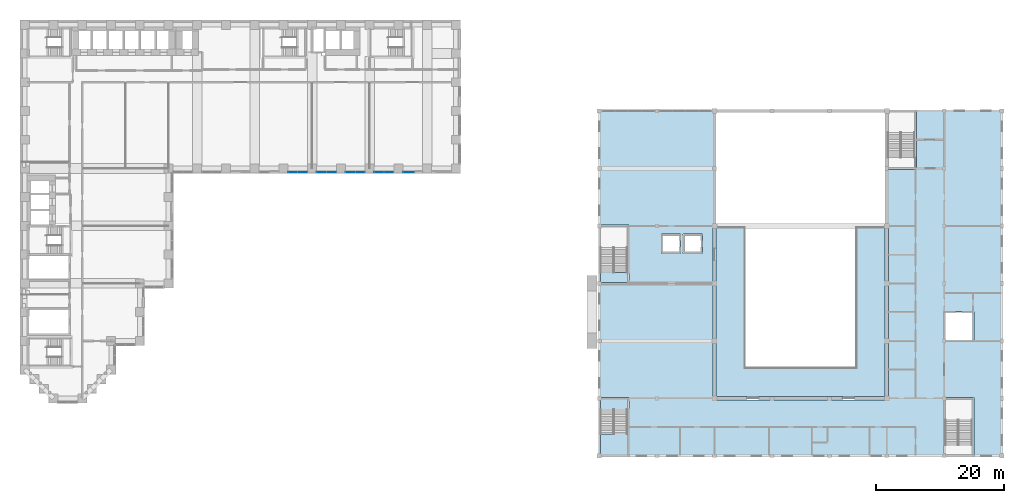
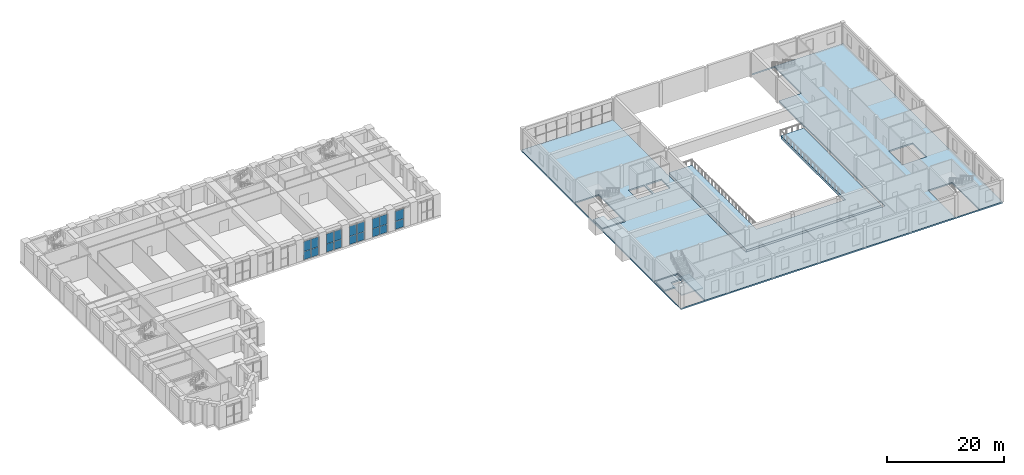
# One storey, part 15 of 34: 18 plates, 5 slabs, 6 elements without a shape of their own.
"""IFC4 building model written with IfcOpenShell, lengths in metres."""

from ifc_helpers import new_model, si_unit, direction, frame, origin, origin_2d, place, context, subcontext, project, spatial, polyline, rectangle, outline, extrude, material, layer, layer_set, type_object, element, aggregate, save


model = new_model("IFC4")

# Units and contexts
model_context = context("Model", 3, precision=1e-05, world=origin(), true_north=direction((0.0, 1.0)))
body_context = subcontext(model_context, "Body", "Model", "MODEL_VIEW")
ifc_project = project(units=[si_unit("LENGTHUNIT", "METRE"), si_unit("AREAUNIT", "SQUARE_METRE"), si_unit("VOLUMEUNIT", "CUBIC_METRE"), si_unit("PLANEANGLEUNIT", "RADIAN"), si_unit("MASSUNIT", "GRAM", prefix="KILO")], contexts=[model_context])

# Site, building, storey
site_placement = place(None, origin())
site = spatial("IfcSite", under=ifc_project, at=site_placement, CompositionType="ELEMENT")
building_placement = place(site_placement, origin())
building = spatial("IfcBuilding", under=site, at=building_placement, Name="Firuza Court", CompositionType="ELEMENT")
storey_placement = place(building_placement, frame((0.0, 0.0, 19.0)))
storey = spatial("IfcBuildingStorey", under=building, at=storey_placement, Name="L03", CompositionType="ELEMENT", Elevation=19.0)

# Curtain wall, plates
ifc_material_1 = material(Name="Aluminium curtain wall, triple clear glazing", Category="aluminium")
curtain_wall_type = type_object("IfcCurtainWallType", Name="Podium unitised curtain wall CW1", PredefinedType="NOTDEFINED", material=ifc_material_1)
curtain_wall_1_placement = place(storey_placement, origin())
curtain_wall_1 = element("IfcCurtainWall", 1, at=curtain_wall_1_placement, inside=storey, type_object=curtain_wall_type, Name="Podium unitised curtain wall CW1 L03", PredefinedType="NOTDEFINED")
ifc_material_2 = material(Name="Triple clear glazing", Category="glass")
ifc_layer_1 = layer(ifc_material_2, 0.031982421875)
ifc_layer_set_1 = layer_set([ifc_layer_1], Name="Triple clear glazing")
plate_type = type_object("IfcPlateType", Name="Glazed panel 32 CW1", PredefinedType="CURTAIN_PANEL", material=ifc_layer_set_1)
plate_1_placement = place(storey_placement, frame((41.989990234375, 35.39990234375, 0.06005859375), z_axis=(0.0, 0.0, 1.0), x_axis=(1.0, 0.0, 0.0)))
plate_1 = element("IfcPlate", 2, at=plate_1_placement, type_object=plate_type, Name="CW1 panel 1.1", PredefinedType="CURTAIN_PANEL", context=body_context, shape_type="SweptSolid", body=[
    extrude(rectangle(XDim=1.4599609375, YDim=0.031982421875, at=origin_2d()), origin(), (0.0, 0.0, 1.0), 1.6650390625),
])
plate_2_placement = place(storey_placement, frame((41.989990234375, 35.39990234375, 1.78515625), z_axis=(0.0, 0.0, 1.0), x_axis=(1.0, 0.0, 0.0)))
plate_2 = element("IfcPlate", 3, at=plate_2_placement, type_object=plate_type, Name="CW1 panel 1.2", PredefinedType="CURTAIN_PANEL", context=body_context, shape_type="SweptSolid", body=[
    extrude(rectangle(XDim=1.4599609375, YDim=0.031982421875, at=origin_2d()), origin(), (0.0, 0.0, 1.0), 2.054931640625),
])
plate_3_placement = place(storey_placement, frame((43.510009765625, 35.39990234375, 0.06005859375), z_axis=(0.0, 0.0, 1.0), x_axis=(1.0, 0.0, 0.0)))
plate_3 = element("IfcPlate", 4, at=plate_3_placement, type_object=plate_type, Name="CW1 panel 2.1", PredefinedType="CURTAIN_PANEL", context=body_context, shape_type="SweptSolid", body=[
    extrude(rectangle(XDim=1.4599609375, YDim=0.031982421875, at=origin_2d()), origin(), (0.0, 0.0, 1.0), 1.6650390625),
])
plate_4_placement = place(storey_placement, frame((43.510009765625, 35.39990234375, 1.78515625), z_axis=(0.0, 0.0, 1.0), x_axis=(1.0, 0.0, 0.0)))
plate_4 = element("IfcPlate", 5, at=plate_4_placement, type_object=plate_type, Name="CW1 panel 2.2", PredefinedType="CURTAIN_PANEL", context=body_context, shape_type="SweptSolid", body=[
    extrude(rectangle(XDim=1.4599609375, YDim=0.031982421875, at=origin_2d()), origin(), (0.0, 0.0, 1.0), 2.054931640625),
])
aggregate(curtain_wall_1, [plate_1, plate_2, plate_3, plate_4])

curtain_wall_2_placement = place(storey_placement, origin())
curtain_wall_2 = element("IfcCurtainWall", 6, at=curtain_wall_2_placement, inside=storey, type_object=curtain_wall_type, Name="Podium unitised curtain wall CW1 L03", PredefinedType="NOTDEFINED")
plate_5_placement = place(storey_placement, frame((46.489990234375, 35.39990234375, 0.06005859375), z_axis=(0.0, 0.0, 1.0), x_axis=(1.0, 0.0, 0.0)))
plate_5 = element("IfcPlate", 7, at=plate_5_placement, type_object=plate_type, Name="CW1 panel 1.1", PredefinedType="CURTAIN_PANEL", context=body_context, shape_type="SweptSolid", body=[
    extrude(rectangle(XDim=1.4599609375, YDim=0.031982421875, at=origin_2d()), origin(), (0.0, 0.0, 1.0), 1.6650390625),
])
plate_6_placement = place(storey_placement, frame((46.489990234375, 35.39990234375, 1.78515625), z_axis=(0.0, 0.0, 1.0), x_axis=(1.0, 0.0, 0.0)))
plate_6 = element("IfcPlate", 8, at=plate_6_placement, type_object=plate_type, Name="CW1 panel 1.2", PredefinedType="CURTAIN_PANEL", context=body_context, shape_type="SweptSolid", body=[
    extrude(rectangle(XDim=1.4599609375, YDim=0.031982421875, at=origin_2d()), origin(), (0.0, 0.0, 1.0), 2.054931640625),
])
plate_7_placement = place(storey_placement, frame((48.010009765625, 35.39990234375, 0.06005859375), z_axis=(0.0, 0.0, 1.0), x_axis=(1.0, 0.0, 0.0)))
plate_7 = element("IfcPlate", 9, at=plate_7_placement, type_object=plate_type, Name="CW1 panel 2.1", PredefinedType="CURTAIN_PANEL", context=body_context, shape_type="SweptSolid", body=[
    extrude(rectangle(XDim=1.4599609375, YDim=0.031982421875, at=origin_2d()), origin(), (0.0, 0.0, 1.0), 1.6650390625),
])
plate_8_placement = place(storey_placement, frame((48.010009765625, 35.39990234375, 1.78515625), z_axis=(0.0, 0.0, 1.0), x_axis=(1.0, 0.0, 0.0)))
plate_8 = element("IfcPlate", 10, at=plate_8_placement, type_object=plate_type, Name="CW1 panel 2.2", PredefinedType="CURTAIN_PANEL", context=body_context, shape_type="SweptSolid", body=[
    extrude(rectangle(XDim=1.4599609375, YDim=0.031982421875, at=origin_2d()), origin(), (0.0, 0.0, 1.0), 2.054931640625),
])
aggregate(curtain_wall_2, [plate_5, plate_6, plate_7, plate_8])

curtain_wall_3_placement = place(storey_placement, origin())
curtain_wall_3 = element("IfcCurtainWall", 11, at=curtain_wall_3_placement, inside=storey, type_object=curtain_wall_type, Name="Podium unitised curtain wall CW1 L03", PredefinedType="NOTDEFINED")
plate_9_placement = place(storey_placement, frame((50.989990234375, 35.39990234375, 0.06005859375), z_axis=(0.0, 0.0, 1.0), x_axis=(1.0, 0.0, 0.0)))
plate_9 = element("IfcPlate", 12, at=plate_9_placement, type_object=plate_type, Name="CW1 panel 1.1", PredefinedType="CURTAIN_PANEL", context=body_context, shape_type="SweptSolid", body=[
    extrude(rectangle(XDim=1.4599609375, YDim=0.031982421875, at=origin_2d()), origin(), (0.0, 0.0, 1.0), 1.6650390625),
])
plate_10_placement = place(storey_placement, frame((50.989990234375, 35.39990234375, 1.78515625), z_axis=(0.0, 0.0, 1.0), x_axis=(1.0, 0.0, 0.0)))
plate_10 = element("IfcPlate", 13, at=plate_10_placement, type_object=plate_type, Name="CW1 panel 1.2", PredefinedType="CURTAIN_PANEL", context=body_context, shape_type="SweptSolid", body=[
    extrude(rectangle(XDim=1.4599609375, YDim=0.031982421875, at=origin_2d()), origin(), (0.0, 0.0, 1.0), 2.054931640625),
])
plate_11_placement = place(storey_placement, frame((52.510009765625, 35.39990234375, 0.06005859375), z_axis=(0.0, 0.0, 1.0), x_axis=(1.0, 0.0, 0.0)))
plate_11 = element("IfcPlate", 14, at=plate_11_placement, type_object=plate_type, Name="CW1 panel 2.1", PredefinedType="CURTAIN_PANEL", context=body_context, shape_type="SweptSolid", body=[
    extrude(rectangle(XDim=1.4599609375, YDim=0.031982421875, at=origin_2d()), origin(), (0.0, 0.0, 1.0), 1.6650390625),
])
plate_12_placement = place(storey_placement, frame((52.510009765625, 35.39990234375, 1.78515625), z_axis=(0.0, 0.0, 1.0), x_axis=(1.0, 0.0, 0.0)))
plate_12 = element("IfcPlate", 15, at=plate_12_placement, type_object=plate_type, Name="CW1 panel 2.2", PredefinedType="CURTAIN_PANEL", context=body_context, shape_type="SweptSolid", body=[
    extrude(rectangle(XDim=1.4599609375, YDim=0.031982421875, at=origin_2d()), origin(), (0.0, 0.0, 1.0), 2.054931640625),
])
aggregate(curtain_wall_3, [plate_9, plate_10, plate_11, plate_12])

curtain_wall_4_placement = place(storey_placement, origin())
curtain_wall_4 = element("IfcCurtainWall", 16, at=curtain_wall_4_placement, inside=storey, type_object=curtain_wall_type, Name="Podium unitised curtain wall CW1 L03", PredefinedType="NOTDEFINED")
plate_13_placement = place(storey_placement, frame((55.489990234375, 35.39990234375, 0.06005859375), z_axis=(0.0, 0.0, 1.0), x_axis=(1.0, 0.0, 0.0)))
plate_13 = element("IfcPlate", 17, at=plate_13_placement, type_object=plate_type, Name="CW1 panel 1.1", PredefinedType="CURTAIN_PANEL", context=body_context, shape_type="SweptSolid", body=[
    extrude(rectangle(XDim=1.4599609375, YDim=0.031982421875, at=origin_2d()), origin(), (0.0, 0.0, 1.0), 1.6650390625),
])
plate_14_placement = place(storey_placement, frame((55.489990234375, 35.39990234375, 1.78515625), z_axis=(0.0, 0.0, 1.0), x_axis=(1.0, 0.0, 0.0)))
plate_14 = element("IfcPlate", 18, at=plate_14_placement, type_object=plate_type, Name="CW1 panel 1.2", PredefinedType="CURTAIN_PANEL", context=body_context, shape_type="SweptSolid", body=[
    extrude(rectangle(XDim=1.4599609375, YDim=0.031982421875, at=origin_2d()), origin(), (0.0, 0.0, 1.0), 2.054931640625),
])
plate_15_placement = place(storey_placement, frame((57.010009765625, 35.39990234375, 0.06005859375), z_axis=(0.0, 0.0, 1.0), x_axis=(1.0, 0.0, 0.0)))
plate_15 = element("IfcPlate", 19, at=plate_15_placement, type_object=plate_type, Name="CW1 panel 2.1", PredefinedType="CURTAIN_PANEL", context=body_context, shape_type="SweptSolid", body=[
    extrude(rectangle(XDim=1.4599609375, YDim=0.031982421875, at=origin_2d()), origin(), (0.0, 0.0, 1.0), 1.6650390625),
])
plate_16_placement = place(storey_placement, frame((57.010009765625, 35.39990234375, 1.78515625), z_axis=(0.0, 0.0, 1.0), x_axis=(1.0, 0.0, 0.0)))
plate_16 = element("IfcPlate", 20, at=plate_16_placement, type_object=plate_type, Name="CW1 panel 2.2", PredefinedType="CURTAIN_PANEL", context=body_context, shape_type="SweptSolid", body=[
    extrude(rectangle(XDim=1.4599609375, YDim=0.031982421875, at=origin_2d()), origin(), (0.0, 0.0, 1.0), 2.054931640625),
])
aggregate(curtain_wall_4, [plate_13, plate_14, plate_15, plate_16])

curtain_wall_5_placement = place(storey_placement, origin())
curtain_wall_5 = element("IfcCurtainWall", 21, at=curtain_wall_5_placement, inside=storey, type_object=curtain_wall_type, Name="Podium unitised curtain wall CW1 L03", PredefinedType="NOTDEFINED")
plate_17_placement = place(storey_placement, frame((60.137451171875, 35.39990234375, 0.06005859375), z_axis=(0.0, 0.0, 1.0), x_axis=(1.0, 0.0, 0.0)))
plate_17 = element("IfcPlate", 22, at=plate_17_placement, type_object=plate_type, Name="CW1 panel 1.1", PredefinedType="CURTAIN_PANEL", context=body_context, shape_type="SweptSolid", body=[
    extrude(rectangle(XDim=1.755126953125, YDim=0.031982421875, at=origin_2d()), origin(), (0.0, 0.0, 1.0), 1.6650390625),
])
plate_18_placement = place(storey_placement, frame((60.137451171875, 35.39990234375, 1.78515625), z_axis=(0.0, 0.0, 1.0), x_axis=(1.0, 0.0, 0.0)))
plate_18 = element("IfcPlate", 23, at=plate_18_placement, type_object=plate_type, Name="CW1 panel 1.2", PredefinedType="CURTAIN_PANEL", context=body_context, shape_type="SweptSolid", body=[
    extrude(rectangle(XDim=1.755126953125, YDim=0.031982421875, at=origin_2d()), origin(), (0.0, 0.0, 1.0), 2.054931640625),
])
aggregate(curtain_wall_5, [plate_17, plate_18])

# Slabs
ifc_material_3 = material(Name="Concrete C40/50", Category="concrete")
ifc_layer_2 = layer(ifc_material_3, 0.60009765625)
ifc_layer_set_2 = layer_set([ifc_layer_2], Name="Concrete C40/50")
slab_type_1 = type_object("IfcSlabType", Name="HALL BALCONY SLAB 600", PredefinedType="FLOOR", material=ifc_layer_set_2)
slab_1_placement = place(storey_placement, frame((0.0, 0.0, -0.60009765625)))
element("IfcSlab", 24, at=slab_1_placement, inside=storey, type_object=slab_type_1, Name="Balcony slab L03", PredefinedType="FLOOR", context=body_context, shape_type="SweptSolid", body=[
    extrude(outline(polyline([(134.75, 26.75), (134.75, 0.25), (108.25, 0.25), (108.25, 26.75), (112.75, 26.75), (112.75, 4.75), (130.25, 4.75), (130.25, 26.75), (134.75, 26.75)])), origin(), (0.0, 0.0, 1.0), 0.60009765625),
])
ifc_layer_3 = layer(ifc_material_3, 0.300048828125)
ifc_layer_set_3 = layer_set([ifc_layer_3], Name="Concrete C40/50")
slab_type_2 = type_object("IfcSlabType", Name="HALL FLAT SLAB 300", PredefinedType="FLOOR", material=ifc_layer_set_3)
slab_2_placement = place(storey_placement, frame((0.0, 0.0, -0.300048828125)))
element("IfcSlab", 25, at=slab_2_placement, inside=storey, type_object=slab_type_2, Name="Floor slab L03.2", PredefinedType="FLOOR", context=body_context, shape_type="SweptSolid", body=[
    extrude(outline(polyline([(90.125, -3.199951171875), (90.125, -0.125), (94.375, -0.125), (94.375, -1.7099609375), (92.199951171875, -1.7099609375), (92.199951171875, -3.199951171875), (90.125, -3.199951171875)])), origin(), (0.0, 0.0, 1.0), 0.300048828125),
])
slab_3_placement = place(storey_placement, frame((0.0, 0.0, -0.300048828125)))
element("IfcSlab", 26, at=slab_3_placement, inside=storey, type_object=slab_type_2, Name="Floor slab L03.3", PredefinedType="FLOOR", context=body_context, shape_type="SweptSolid", body=[
    extrude(outline(polyline([(107.824951171875, 45.175048828125), (107.824951171875, 27.25), (107.75, 27.25), (107.75, -0.25), (135.25, -0.25), (135.25, 27.25), (135.175048828125, 27.25), (135.175048828125, 35.875), (139.625, 35.875), (139.625, 45.125), (135.175048828125, 45.125), (135.175048828125, 45.175048828125), (153.175048828125, 45.175048828125), (153.175048828125, -9.175048828125), (89.824951171875, -9.175048828125), (89.824951171875, 45.175048828125), (107.824951171875, 45.175048828125)]), holes=[polyline([(94.625, -9.125), (94.625, 0.125), (89.875, 0.125), (89.875, -9.125), (94.625, -9.125)]), polyline([(148.625, -9.125), (148.625, 0.125), (143.875, 0.125), (143.875, -9.125), (148.625, -9.125)]), polyline([(148.625, 8.875), (148.625, 13.625), (143.875, 13.625), (143.875, 8.875), (148.625, 8.875)]), polyline([(94.625, 17.875), (94.625, 27.125), (89.875, 27.125), (89.875, 17.875), (94.625, 17.875)]), polyline([(102.72509765625, 22.675048828125), (102.72509765625, 25.72509765625), (99.675048828125, 25.72509765625), (99.675048828125, 22.675048828125), (102.72509765625, 22.675048828125)]), polyline([(106.125, 22.675048828125), (106.125, 25.72509765625), (103.074951171875, 25.72509765625), (103.074951171875, 22.675048828125), (106.125, 22.675048828125)])]), origin(), (0.0, 0.0, 1.0), 0.300048828125),
])
slab_4_placement = place(storey_placement, frame((0.0, 0.0, -0.300048828125)))
element("IfcSlab", 27, at=slab_4_placement, inside=storey, type_object=slab_type_2, Name="Floor slab L03.4", PredefinedType="FLOOR", context=body_context, shape_type="SweptSolid", body=[
    extrude(outline(polyline([(90.125, 18.125), (90.125, 21.199951171875), (92.199951171875, 21.199951171875), (92.199951171875, 19.7099609375), (94.375, 19.7099609375), (94.375, 18.125), (90.125, 18.125)])), origin(), (0.0, 0.0, 1.0), 0.300048828125),
])

# Stair, slab
ifc_material_4 = material(Name="Concrete C40/50", Category="concrete")
stair_type = type_object("IfcStairType", Name="HALL STAIR", PredefinedType="NOTDEFINED", material=ifc_material_4)
stair_placement = place(storey_placement, origin())
stair = element("IfcStair", 28, at=stair_placement, inside=storey, type_object=stair_type, Name="Stair H1 L03", PredefinedType="NOTDEFINED")
ifc_layer_4 = layer(ifc_material_3, 0.199951171875)
ifc_layer_set_4 = layer_set([ifc_layer_4], Name="Concrete C40/50")
slab_type_3 = type_object("IfcSlabType", Name="HALL STAIR LANDING 200", PredefinedType="LANDING", material=ifc_layer_set_4)
slab_5_placement = place(storey_placement, frame((0.0, 0.0, 2.300048828125)))
slab_5 = element("IfcSlab", 29, at=slab_5_placement, type_object=slab_type_3, Name="HS-1 landing 1", PredefinedType="LANDING", context=body_context, shape_type="SweptSolid", body=[
    extrude(outline(polyline([(90.125, -5.610107421875), (92.199951171875, -5.610107421875), (92.199951171875, -4.1201171875), (94.375, -4.1201171875), (94.375, -8.875), (90.125, -8.875), (90.125, -5.610107421875)])), origin(), (0.0, 0.0, 1.0), 0.199951171875),
])
aggregate(stair, [slab_5])

save(model, "model.ifc")
